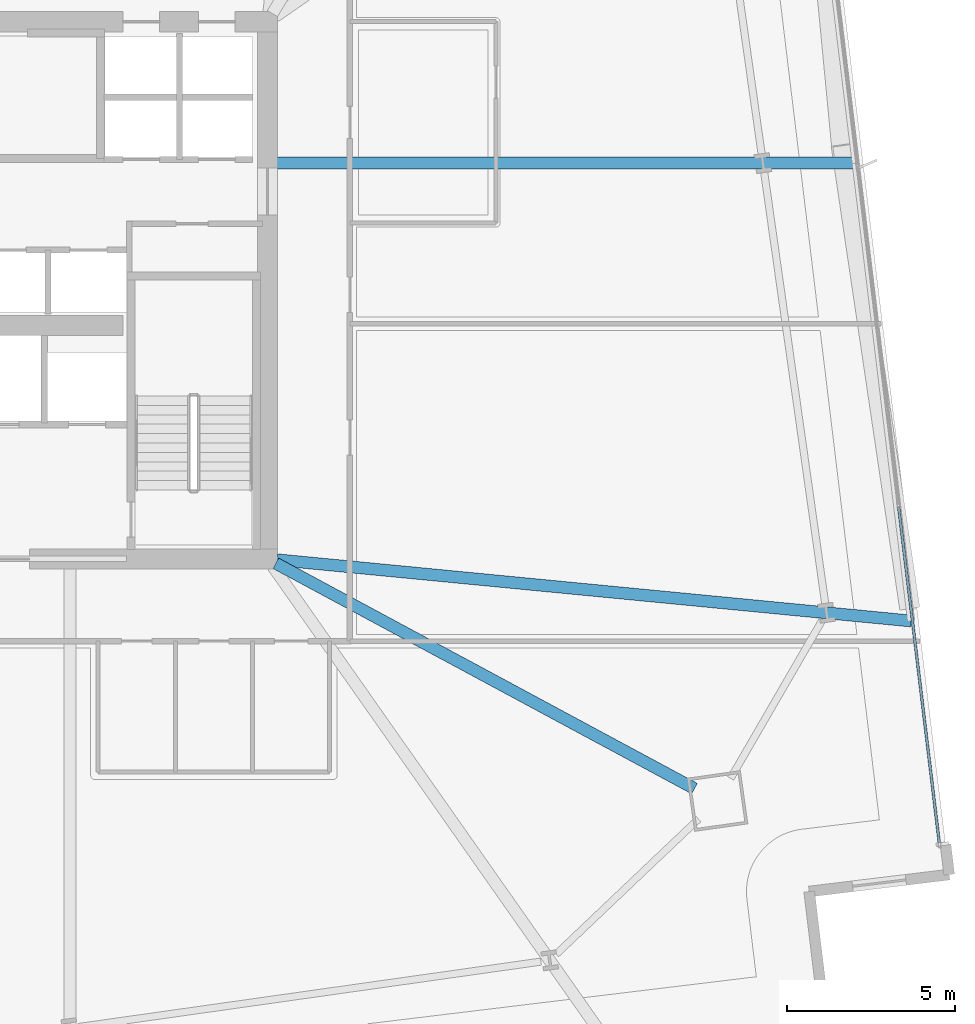
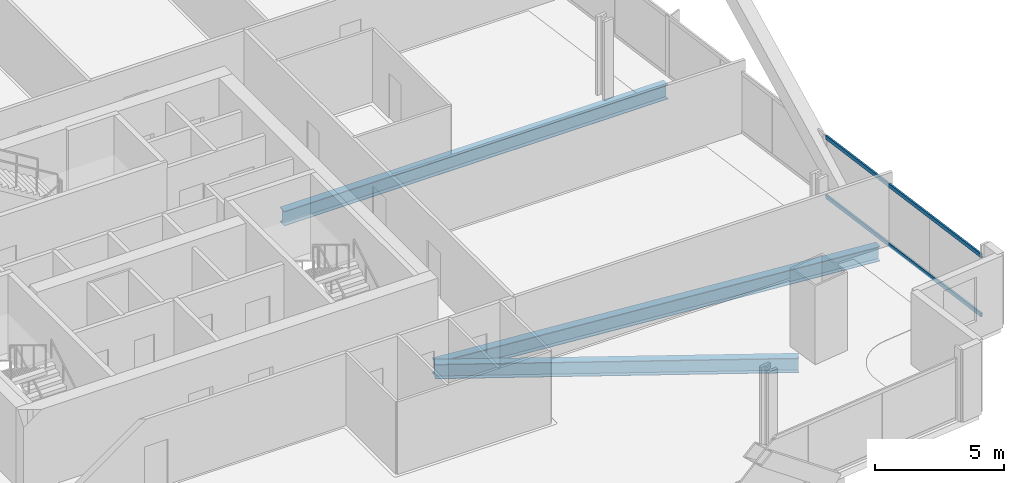
# One storey, part 12 of 33: 3 beams, 2 members, 1 element without a shape of its own.
"""IFC4 building model written with IfcOpenShell, lengths in metres."""

from ifc_helpers import new_model, si_unit, direction, frame, origin, origin_2d, place, context, subcontext, project, spatial, hollow_rectangle, i_section, extrude, material, material_profile, profile_set, type_object, element, aggregate, save


model = new_model("IFC4")

# Units and contexts
model_context = context("Model", 3, precision=1e-05, world=origin(), true_north=direction((0.0, 1.0)))
body_context = subcontext(model_context, "Body", "Model", "MODEL_VIEW")
ifc_project = project(units=[si_unit("LENGTHUNIT", "METRE"), si_unit("AREAUNIT", "SQUARE_METRE"), si_unit("VOLUMEUNIT", "CUBIC_METRE"), si_unit("PLANEANGLEUNIT", "RADIAN"), si_unit("MASSUNIT", "GRAM", prefix="KILO")], contexts=[model_context])

# Site, building, storey
site_placement = place(None, origin())
site = spatial("IfcSite", under=ifc_project, at=site_placement, CompositionType="ELEMENT")
building_placement = place(site_placement, origin())
building = spatial("IfcBuilding", under=site, at=building_placement, Name="Haldenkirk Collegiate Tower", CompositionType="ELEMENT")
storey_placement = place(building_placement, frame((0.0, 0.0, 51.449951171875)))
storey = spatial("IfcBuildingStorey", under=building, at=storey_placement, Name="L11", CompositionType="ELEMENT", Elevation=51.449951171875)

# Beams
ifc_material_1 = material(Name="Steel ASTM A992 Grade 50", Category="steel")
ifc_material_profile_1 = material_profile(ifc_material_1, i_section(OverallWidth=0.35498046875, OverallDepth=0.696044921875, WebThickness=0.015380859375, FlangeThickness=0.02490234375, at=origin_2d()), Name="W27X146")
ifc_profile_set_1 = profile_set([ifc_material_profile_1], Name="Steel ASTM A992 Grade 50")
beam_type = type_object("IfcBeamType", Name="BM-GIRDER-W27X146", PredefinedType="BEAM", material=ifc_profile_set_1)
beam_1_placement = place(storey_placement, frame((57.71435546875, 11.15673828125, -0.657958984375), z_axis=(-0.880558564783, 0.473937352386, 0.0), x_axis=(-0.473937352386, -0.880558564783, 0.0)))
element("IfcBeam", 1, at=beam_1_placement, inside=storey, type_object=beam_type, Name="L11 primary floor girder 02", PredefinedType="BEAM", context=body_context, shape_type="SweptSolid", body=[
    extrude(i_section(OverallWidth=0.35498046875, OverallDepth=0.696044921875, WebThickness=0.015380859375, FlangeThickness=0.02490234375, at=origin_2d()), origin(), (0.0, 0.0, 1.0), 14.158935546875),
])
beam_2_placement = place(storey_placement, frame((64.16748046875, 16.14990234375, -0.657958984375), z_axis=(-0.99537369825, 0.096079138384, 0.0), x_axis=(-0.096079138384, -0.99537369825, 0.0)))
element("IfcBeam", 2, at=beam_2_placement, inside=storey, type_object=beam_type, Name="L11 primary floor girder 08", PredefinedType="BEAM", context=body_context, shape_type="SweptSolid", body=[
    extrude(i_section(OverallWidth=0.35498046875, OverallDepth=0.696044921875, WebThickness=0.015380859375, FlangeThickness=0.02490234375, at=origin_2d()), origin(), (0.0, 0.0, 1.0), 18.9765625),
])
beam_3_placement = place(storey_placement, frame((62.516845703125, 29.788818359375, -0.657958984375), z_axis=(-1.0, 0.0, 0.0), x_axis=(0.0, -1.0, 0.0)))
element("IfcBeam", 3, at=beam_3_placement, inside=storey, type_object=beam_type, Name="L11 primary floor girder 09", PredefinedType="BEAM", context=body_context, shape_type="SweptSolid", body=[
    extrude(i_section(OverallWidth=0.35498046875, OverallDepth=0.696044921875, WebThickness=0.015380859375, FlangeThickness=0.02490234375, at=origin_2d()), origin(), (0.0, 0.0, 1.0), 17.23681640625),
])

# Curtain wall, members
ifc_material_2 = material(Name="Anodised architectural bronze aluminium", Category="aluminium")
curtain_wall_type = type_object("IfcCurtainWallType", Name="CW-SYS1-CONVEX-LOW", PredefinedType="USERDEFINED", material=ifc_material_2)
curtain_wall_placement = place(storey_placement, origin())
curtain_wall = element("IfcCurtainWall", 4, at=curtain_wall_placement, inside=storey, type_object=curtain_wall_type, Name="L11 Lower tower convex bronze-framed unitised curtain wall", ObjectType="UNITISED CURTAIN WALL", PredefinedType="USERDEFINED")
ifc_material_profile_2 = material_profile(ifc_material_2, hollow_rectangle(XDim=0.080078125, YDim=0.179931640625, WallThickness=0.0048828125, at=origin_2d()), Name="CW-TRN-1A")
ifc_profile_set_2 = profile_set([ifc_material_profile_2], Name="Anodised architectural bronze aluminium")
member_type = type_object("IfcMemberType", Name="CW-TRN-1A", PredefinedType="USERDEFINED", material=ifc_profile_set_2)
member_1_placement = place(storey_placement, frame((63.7958984375, 19.552734375, 0.0400390625), z_axis=(0.120131730033, -0.992757960149, 0.0), x_axis=(0.992757960149, 0.120131730033, 0.0)))
member_1 = element("IfcMember", 5, at=member_1_placement, type_object=member_type, Name="CW-1A transom 4.1", ObjectType="TRANSOM", PredefinedType="USERDEFINED", context=body_context, shape_type="SweptSolid", body=[
    extrude(hollow_rectangle(XDim=0.080078125, YDim=0.179931640625, WallThickness=0.0048828125, at=origin_2d()), origin(), (0.0, 0.0, 1.0), 10.080078125),
])
member_2_placement = place(storey_placement, frame((63.7958984375, 19.552734375, 2.85107421875), z_axis=(0.120131730033, -0.992757960149, 0.0), x_axis=(0.992757960149, 0.120131730033, 0.0)))
member_2 = element("IfcMember", 6, at=member_2_placement, type_object=member_type, Name="CW-1A transom 4.2", ObjectType="TRANSOM", PredefinedType="USERDEFINED", context=body_context, shape_type="SweptSolid", body=[
    extrude(hollow_rectangle(XDim=0.080078125, YDim=0.179931640625, WallThickness=0.0048828125, at=origin_2d()), origin(), (0.0, 0.0, 1.0), 10.080078125),
])
aggregate(curtain_wall, [member_1, member_2])

save(model, "model.ifc")
